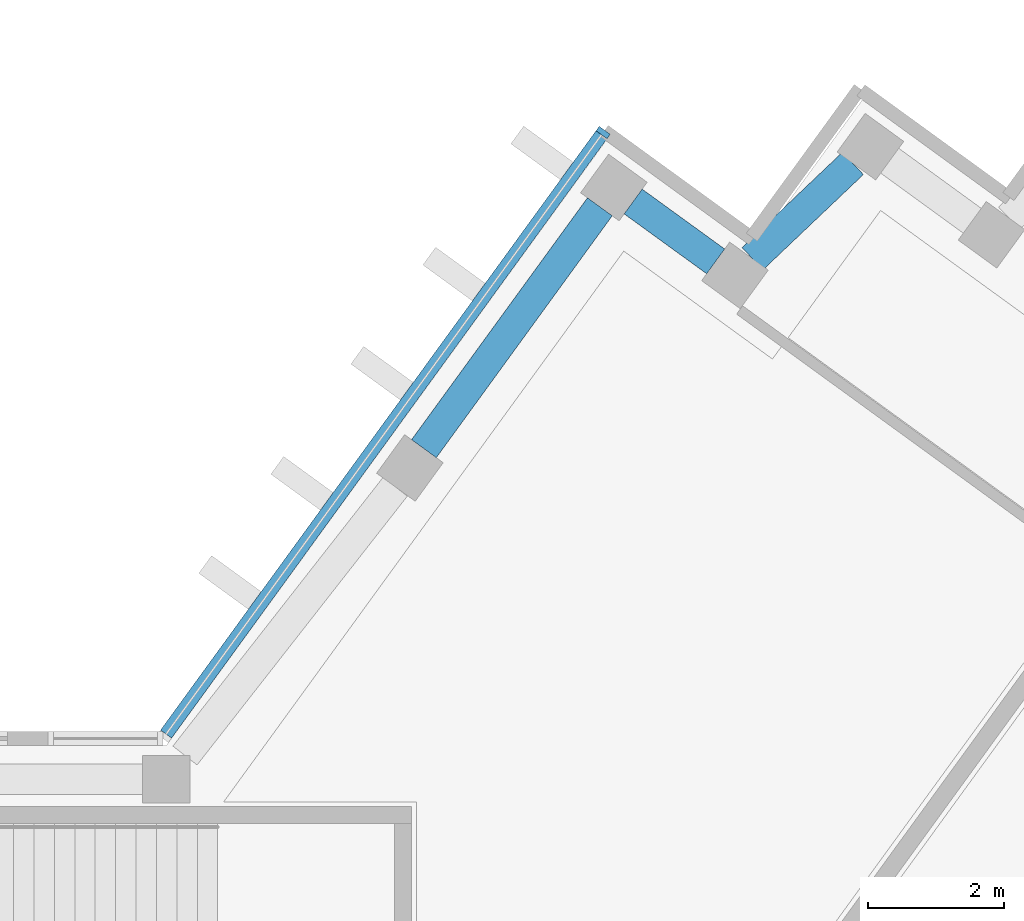
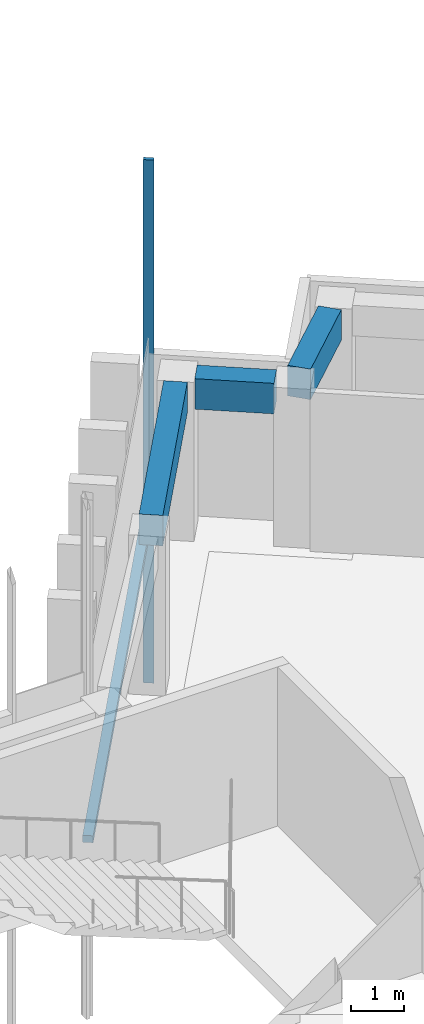
# One storey, part 4 of 13: 3 beams, 2 members, 1 element without a shape of its own.
"""IFC4 building model written with IfcOpenShell, lengths in metres."""

from ifc_helpers import new_model, si_unit, direction, frame, origin, origin_2d, place, context, subcontext, project, spatial, rectangle, extrude, material, material_profile, profile_set, type_object, element, aggregate, save


model = new_model("IFC4")

# Units and contexts
model_context = context("Model", 3, precision=1e-05, world=origin(), true_north=direction((0.0, 1.0)))
body_context = subcontext(model_context, "Body", "Model", "MODEL_VIEW")
ifc_project = project(units=[si_unit("LENGTHUNIT", "METRE"), si_unit("AREAUNIT", "SQUARE_METRE"), si_unit("VOLUMEUNIT", "CUBIC_METRE"), si_unit("PLANEANGLEUNIT", "RADIAN"), si_unit("MASSUNIT", "GRAM", prefix="KILO")], contexts=[model_context])

# Site, building, storey
site_placement = place(None, origin())
site = spatial("IfcSite", under=ifc_project, at=site_placement, CompositionType="ELEMENT")
building_placement = place(site_placement, origin())
building = spatial("IfcBuilding", under=site, at=building_placement, Name="Quipu Civic Tower", CompositionType="ELEMENT")
storey_placement = place(building_placement, frame((0.0, 0.0, 347.0)))
storey = spatial("IfcBuildingStorey", under=building, at=storey_placement, Name="L81", CompositionType="ELEMENT", Elevation=347.0)

# Curtain wall, member
ifc_material_1 = material(Name="Insulated glass unit", Category="glass")
curtain_wall_type = type_object("IfcCurtainWallType", Name="Office curtain wall CW1", PredefinedType="NOTDEFINED", material=ifc_material_1)
curtain_wall_placement = place(storey_placement, origin())
curtain_wall = element("IfcCurtainWall", 1, at=curtain_wall_placement, inside=storey, type_object=curtain_wall_type, Name="Office curtain wall CW1 L80 run 26", PredefinedType="NOTDEFINED")
ifc_material_2 = material(Name="Anodised aluminium", Category="aluminium")
ifc_material_profile_1 = material_profile(ifc_material_2, rectangle(XDim=0.199951171875, YDim=0.080078125, at=origin_2d()), Name="RECT 200x80")
ifc_profile_set_1 = profile_set([ifc_material_profile_1], Name="Anodised aluminium")
member_type_1 = type_object("IfcMemberType", Name="Mullion CW1", PredefinedType="MULLION", material=ifc_profile_set_1)
member_1_placement = place(storey_placement, frame((20.8125, 20.002685546875, -3.919921875), z_axis=(0.0, 0.0, 1.0), x_axis=(0.809015163947, -0.587787771652, 0.0)))
member_1 = element("IfcMember", 2, at=member_1_placement, type_object=member_type_1, Name="CW1 mullion 1", PredefinedType="MULLION", context=body_context, shape_type="SweptSolid", body=[
    extrude(rectangle(XDim=0.199951171875, YDim=0.080078125, at=origin_2d()), origin(), (0.0, 0.0, 1.0), 12.0),
])

# Beams
ifc_material_3 = material(Name="Concrete C50/60", Category="concrete")
ifc_material_profile_2 = material_profile(ifc_material_3, rectangle(XDim=0.449951171875, YDim=0.699951171875, at=origin_2d()), Name="RC450x700")
ifc_profile_set_2 = profile_set([ifc_material_profile_2], Name="Concrete C50/60")
beam_type = type_object("IfcBeamType", Name="Spandrel beam RC 450x700 C50/60", PredefinedType="SPANDREL", material=ifc_profile_set_2)
beam_1_placement = place(storey_placement, frame((24.48193359375, 19.5498046875, 3.300048828125), z_axis=(-0.72511931772, -0.6886232461, 0.0), x_axis=(0.6886232461, -0.72511931772, 0.0)))
element("IfcBeam", 3, at=beam_1_placement, inside=storey, type_object=beam_type, Name="Spandrel beam L81 T-Ei.2-E22 to T-Ei.3-E22", PredefinedType="SPANDREL", context=body_context, shape_type="SweptSolid", body=[
    extrude(rectangle(XDim=0.449951171875, YDim=0.699951171875, at=origin_2d()), origin(), (0.0, 0.0, 1.0), 2.03369140625),
])
beam_2_placement = place(storey_placement, frame((22.466064453125, 18.10986328125, 3.300048828125), z_axis=(-0.809461336076, 0.587173181776, 0.0), x_axis=(-0.587173181776, -0.809461336076, 0.0)))
element("IfcBeam", 4, at=beam_2_placement, inside=storey, type_object=beam_type, Name="Spandrel beam L81 T-Ei.3-E22 to T-Ei.4-E22", PredefinedType="SPANDREL", context=body_context, shape_type="SweptSolid", body=[
    extrude(rectangle(XDim=0.449951171875, YDim=0.699951171875, at=origin_2d()), origin(), (0.0, 0.0, 1.0), 1.498046875),
])
beam_3_placement = place(storey_placement, frame((20.76416015625, 18.911865234375, 3.300048828125), z_axis=(-0.588201428764, -0.808714460857, 0.0), x_axis=(0.808714460857, -0.588201428764, 0.0)))
element("IfcBeam", 5, at=beam_3_placement, inside=storey, type_object=beam_type, Name="Spandrel beam L81 T-Ei.4-E22 to E-IN-01", PredefinedType="SPANDREL", context=body_context, shape_type="SweptSolid", body=[
    extrude(rectangle(XDim=0.449951171875, YDim=0.699951171875, at=origin_2d()), origin(), (0.0, 0.0, 1.0), 4.394287109375),
])

# Member
ifc_material_4 = material(Name="Anodised aluminium", Category="aluminium")
ifc_material_profile_3 = material_profile(ifc_material_4, rectangle(XDim=0.199951171875, YDim=0.159912109375, at=origin_2d()), Name="RECT 200x160")
ifc_profile_set_3 = profile_set([ifc_material_profile_3], Name="Anodised aluminium")
member_type_2 = type_object("IfcMemberType", Name="Transom CW1", PredefinedType="USERDEFINED", material=ifc_profile_set_3)
member_2_placement = place(storey_placement, frame((20.788818359375, 19.97021484375, 0.080078125), z_axis=(-0.587796859727, -0.809008560953, 0.0), x_axis=(0.809008560953, -0.587796859727, 0.0)))
member_2 = element("IfcMember", 6, at=member_2_placement, type_object=member_type_2, Name="CW1 transom 1.2", ObjectType="TRANSOM", PredefinedType="USERDEFINED", context=body_context, shape_type="SweptSolid", body=[
    extrude(rectangle(XDim=0.199951171875, YDim=0.159912109375, at=origin_2d()), origin(), (0.0, 0.0, 1.0), 10.88427734375),
])

aggregate(curtain_wall, [member_1, member_2])

save(model, "model.ifc")
